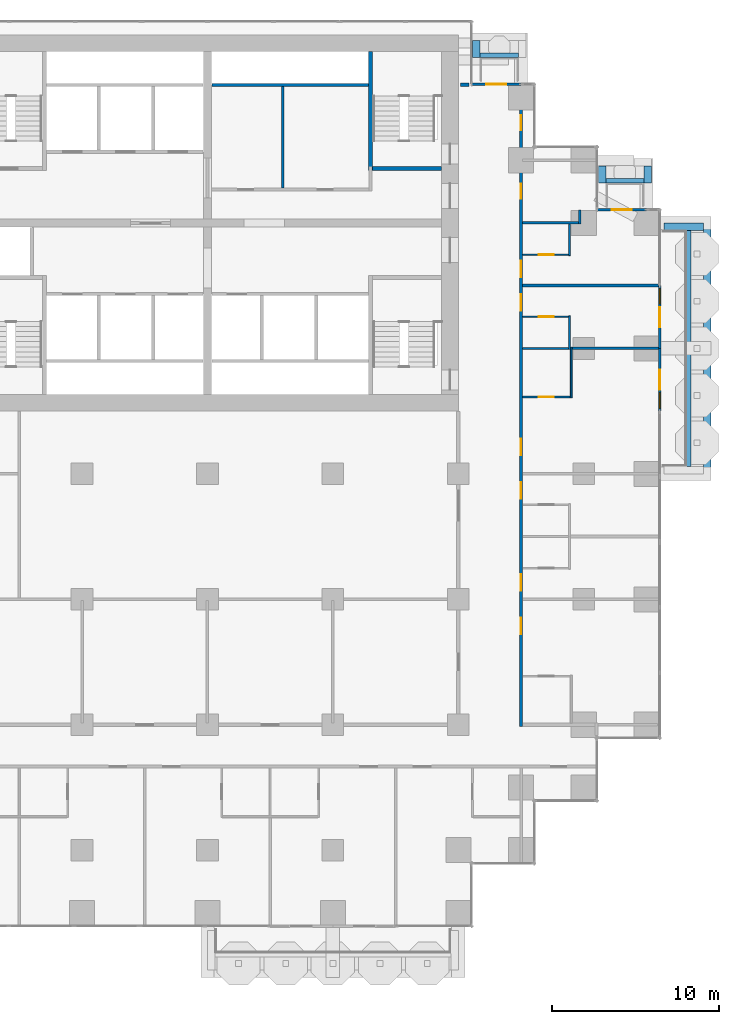
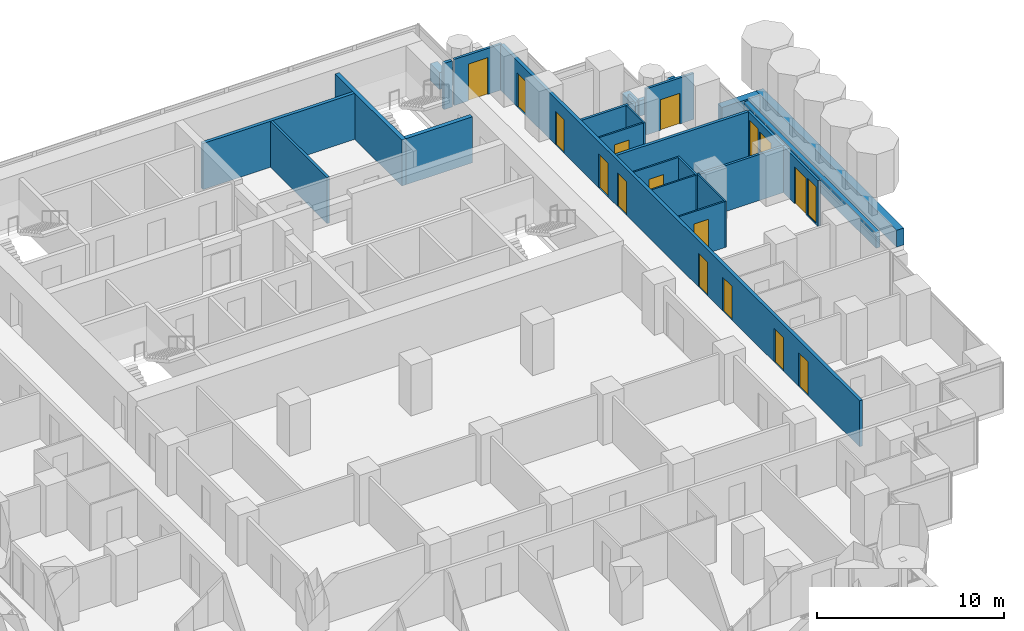
# One storey, part 15 of 19: 29 walls, 15 doors, 2 windows, 17 openings.
"""IFC4 building model written with IfcOpenShell, lengths in metres."""

from ifc_helpers import new_model, si_unit, direction, frame, frame_2d, origin, place, context, subcontext, project, spatial, rectangle, extrude, material, layer, layer_set, type_object, element, fill, save


model = new_model("IFC4")

# Units and contexts
model_context = context("Model", 3, precision=1e-05, world=origin(), true_north=direction((0.0, 1.0)))
body_context = subcontext(model_context, "Body", "Model", "MODEL_VIEW")
ifc_project = project(units=[si_unit("LENGTHUNIT", "METRE"), si_unit("AREAUNIT", "SQUARE_METRE"), si_unit("VOLUMEUNIT", "CUBIC_METRE"), si_unit("PLANEANGLEUNIT", "RADIAN"), si_unit("MASSUNIT", "GRAM", prefix="KILO")], contexts=[model_context])

# Site, building, storey
site_placement = place(None, origin())
site = spatial("IfcSite", under=ifc_project, at=site_placement, CompositionType="ELEMENT")
building_placement = place(site_placement, origin())
building = spatial("IfcBuilding", under=site, at=building_placement, Name="Pilkhan Gate Tower", CompositionType="ELEMENT")
storey_placement = place(building_placement, frame((0.0, 0.0, 79.10009765625)))
storey = spatial("IfcBuildingStorey", under=building, at=storey_placement, Name="L18", CompositionType="ELEMENT", Elevation=79.10009765625)

# Walls
ifc_material_1 = material(Name="Dense blockwork", Category="masonry")
ifc_layer_1 = layer(ifc_material_1, 0.175048828125)
ifc_layer_set_1 = layer_set([ifc_layer_1], Name="Acoustic party wall PW175")
wall_type_1 = type_object("IfcWallType", Name="Acoustic party wall PW175", PredefinedType="PARTITIONING", material=ifc_layer_set_1)
wall_1_placement = place(storey_placement, frame((93.85009765625, 78.75, 0.0), z_axis=(0.0, 0.0, 1.0), x_axis=(1.0, 0.0, 0.0)))
element("IfcWall", 1, at=wall_1_placement, inside=storey, type_object=wall_type_1, Name="Partition L18", PredefinedType="PARTITIONING", context=body_context, shape_type="SweptSolid", body=[
    extrude(rectangle(XDim=8.10986328125, YDim=0.175048828125, at=frame_2d((4.054931640625, 0.0))), origin(), (0.0, 0.0, 1.0), 3.0),
])
ifc_material_2 = material(Name="Concrete C40/50", Category="concrete")
ifc_layer_2 = layer(ifc_material_2, 0.25)
ifc_layer_set_2 = layer_set([ifc_layer_2], Name="Balcony planter BP250")
wall_type_2 = type_object("IfcWallType", Name="Balcony planter BP250", PredefinedType="USERDEFINED", material=ifc_layer_set_2)
wall_2_placement = place(storey_placement, frame((103.77490234375, 67.949951171875, 0.0), z_axis=(0.0, 0.0, 1.0), x_axis=(0.0, 1.0, 0.0)))
element("IfcWall", 2, at=wall_2_placement, inside=storey, type_object=wall_type_2, Name="Balcony planter L18 E", ObjectType="BALCONY PLANTER", PredefinedType="USERDEFINED", context=body_context, shape_type="SweptSolid", body=[
    extrude(rectangle(XDim=14.10009765625, YDim=0.25, at=frame_2d((7.050048828125, 0.0))), origin(), (0.0, 0.0, 1.0), 1.0),
])
wall_3_placement = place(storey_placement, frame((91.300048828125, 92.52490234375, 0.0), z_axis=(0.0, 0.0, 1.0), x_axis=(1.0, 0.0, 0.0)))
element("IfcWall", 3, at=wall_3_placement, inside=storey, type_object=wall_type_2, Name="Balcony planter L18 N", ObjectType="BALCONY PLANTER", PredefinedType="USERDEFINED", context=body_context, shape_type="SweptSolid", body=[
    extrude(rectangle(XDim=2.300048828125, YDim=0.25, at=frame_2d((1.14990234375, 0.0))), origin(), (0.0, 0.0, 1.0), 1.0),
])
wall_4_placement = place(storey_placement, frame((98.820068359375, 85.02490234375, 0.0), z_axis=(0.0, 0.0, 1.0), x_axis=(1.0, 0.0, 0.0)))
element("IfcWall", 4, at=wall_4_placement, inside=storey, type_object=wall_type_2, Name="Balcony planter L18 N", ObjectType="BALCONY PLANTER", PredefinedType="USERDEFINED", context=body_context, shape_type="SweptSolid", body=[
    extrude(rectangle(XDim=2.280029296875, YDim=0.25, at=frame_2d((1.14013671875, 0.0))), origin(), (0.0, 0.0, 1.0), 1.0),
])
ifc_material_3 = material(Name="Board-marked Concrete C40/50", Category="concrete")
ifc_layer_3 = layer(ifc_material_3, 0.449951171875)
ifc_layer_set_3 = layer_set([ifc_layer_3], Name="Balcony planter lip BL450")
wall_type_3 = type_object("IfcWallType", Name="Balcony planter lip BL450", PredefinedType="USERDEFINED", material=ifc_layer_set_3)
wall_5_placement = place(storey_placement, frame((104.875, 67.5, 0.0), z_axis=(0.0, 0.0, 1.0), x_axis=(0.0, 1.0, 0.0)))
element("IfcWall", 5, at=wall_5_placement, inside=storey, type_object=wall_type_3, Name="Balcony planter L18 E", ObjectType="BALCONY PLANTER", PredefinedType="USERDEFINED", context=body_context, shape_type="SweptSolid", body=[
    extrude(rectangle(XDim=15.0, YDim=0.449951171875, at=frame_2d((7.5, 0.0))), origin(), (0.0, 0.0, 1.0), 1.099853515625),
])
wall_6_placement = place(storey_placement, frame((102.300048828125, 82.27490234375, 0.0), z_axis=(0.0, 0.0, 1.0), x_axis=(1.0, 0.0, 0.0)))
element("IfcWall", 6, at=wall_6_placement, inside=storey, type_object=wall_type_3, Name="Balcony planter L18 E", ObjectType="BALCONY PLANTER", PredefinedType="USERDEFINED", context=body_context, shape_type="SweptSolid", body=[
    extrude(rectangle(XDim=2.349853515625, YDim=0.449951171875, at=frame_2d((1.1748046875, 0.0))), origin(), (0.0, 0.0, 1.0), 1.099853515625),
])
for number, where, z_axis, x_axis, name in (
    (7, (91.074951171875, 92.39990234375, 0.0), (0.0, 0.0, 1.0), (0.0, 1.0, 0.0), "Balcony planter L18 N"),
    (8, (98.594970703125, 84.89990234375, 0.0), (0.0, 0.0, 1.0), (0.0, 1.0, 0.0), "Balcony planter L18 N"),
    (9, (101.324951171875, 84.89990234375, 0.0), (0.0, 0.0, 1.0), (0.0, 1.0, 0.0), "Balcony planter L18 N"),
):
    element("IfcWall", number, at=place(storey_placement, frame(where, z_axis=z_axis, x_axis=x_axis)), inside=storey, type_object=wall_type_3, Name=name, ObjectType="BALCONY PLANTER", PredefinedType="USERDEFINED", context=body_context, shape_type="SweptSolid", body=[
        extrude(rectangle(XDim=1.0, YDim=0.449951171875, at=frame_2d((0.5, 0.0))), origin(), (0.0, 0.0, 1.0), 1.099853515625),
    ])
ifc_layer_4 = layer(ifc_material_1, 0.199951171875)
ifc_layer_set_4 = layer_set([ifc_layer_4], Name="Corridor wall FW200")
wall_type_4 = type_object("IfcWallType", Name="Corridor wall FW200", PredefinedType="PARTITIONING", material=ifc_layer_set_4)
wall_7_placement = place(storey_placement, frame((90.1201171875, 90.764892578125, 0.0), z_axis=(0.0, 0.0, 1.0), x_axis=(1.0, 0.0, 0.0)))
element("IfcWall", 10, at=wall_7_placement, inside=storey, type_object=wall_type_4, Name="Partition L18", PredefinedType="PARTITIONING", context=body_context, shape_type="SweptSolid", body=[
    extrude(rectangle(XDim=0.52490234375, YDim=0.199951171875, at=frame_2d((0.262451171875, 0.0))), origin(), (0.0, 0.0, 1.0), 3.0),
])

# Wall, openings, doors
wall_8_placement = place(storey_placement, frame((93.75, 52.39990234375, 0.0), z_axis=(0.0, 0.0, 1.0), x_axis=(0.0, 1.0, 0.0)))
wall_8 = element("IfcWall", 11, at=wall_8_placement, inside=storey, type_object=wall_type_4, Name="Partition L18", PredefinedType="PARTITIONING", context=body_context, shape_type="SweptSolid", body=[
    extrude(rectangle(XDim=38.31005859375, YDim=0.199951171875, at=frame_2d((19.155029296875, 0.0))), origin(), (0.0, 0.0, 1.0), 3.0),
])
opening_1_placement = place(wall_8_placement, frame((5.5, 0.0, 0.0)))
opening_1 = element("IfcOpeningElement", 12, at=opening_1_placement, cuts=wall_8, Name="Opening L18-26", PredefinedType="OPENING", context=body_context, shape_type="SweptSolid", body=[
    extrude(rectangle(XDim=1.0, YDim=2.199951171875, at=frame_2d((0.5, 1.10009765625))), frame((0.0, 0.10986328125, 0.0), z_axis=(0.0, -1.0, 0.0), x_axis=(1.0, 0.0, 0.0)), (0.0, 0.0, 1.0), 0.219970703125),
])
opening_2_placement = place(wall_8_placement, frame((8.10009765625, 0.0, 0.0)))
opening_2 = element("IfcOpeningElement", 13, at=opening_2_placement, cuts=wall_8, Name="Opening L18-28", PredefinedType="OPENING", context=body_context, shape_type="SweptSolid", body=[
    extrude(rectangle(XDim=1.0, YDim=2.199951171875, at=frame_2d((0.5, 1.10009765625))), frame((0.0, 0.10986328125, 0.0), z_axis=(0.0, -1.0, 0.0), x_axis=(1.0, 0.0, 0.0)), (0.0, 0.0, 1.0), 0.219970703125),
])
opening_3_placement = place(wall_8_placement, frame((13.60009765625, 0.0, 0.0)))
opening_3 = element("IfcOpeningElement", 14, at=opening_3_placement, cuts=wall_8, Name="Opening L18-30", PredefinedType="OPENING", context=body_context, shape_type="SweptSolid", body=[
    extrude(rectangle(XDim=1.0, YDim=2.199951171875, at=frame_2d((0.5, 1.10009765625))), frame((0.0, 0.10986328125, 0.0), z_axis=(0.0, -1.0, 0.0), x_axis=(1.0, 0.0, 0.0)), (0.0, 0.0, 1.0), 0.219970703125),
])
opening_4_placement = place(wall_8_placement, frame((16.199951171875, 0.0, 0.0)))
opening_4 = element("IfcOpeningElement", 15, at=opening_4_placement, cuts=wall_8, Name="Opening L18-32", PredefinedType="OPENING", context=body_context, shape_type="SweptSolid", body=[
    extrude(rectangle(XDim=1.0, YDim=2.199951171875, at=frame_2d((0.5, 1.10009765625))), frame((0.0, 0.10986328125, 0.0), z_axis=(0.0, -1.0, 0.0), x_axis=(1.0, 0.0, 0.0)), (0.0, 0.0, 1.0), 0.219970703125),
])
opening_5_placement = place(wall_8_placement, frame((24.85009765625, 0.0, 0.0)))
opening_5 = element("IfcOpeningElement", 16, at=opening_5_placement, cuts=wall_8, Name="Opening L18-34", PredefinedType="OPENING", context=body_context, shape_type="SweptSolid", body=[
    extrude(rectangle(XDim=1.0, YDim=2.199951171875, at=frame_2d((0.5, 1.10009765625))), frame((0.0, 0.10986328125, 0.0), z_axis=(0.0, -1.0, 0.0), x_axis=(1.0, 0.0, 0.0)), (0.0, 0.0, 1.0), 0.219970703125),
])
opening_6_placement = place(wall_8_placement, frame((26.85009765625, 0.0, 0.0)))
opening_6 = element("IfcOpeningElement", 17, at=opening_6_placement, cuts=wall_8, Name="Opening L18-36", PredefinedType="OPENING", context=body_context, shape_type="SweptSolid", body=[
    extrude(rectangle(XDim=1.0, YDim=2.199951171875, at=frame_2d((0.5, 1.10009765625))), frame((0.0, 0.10986328125, 0.0), z_axis=(0.0, -1.0, 0.0), x_axis=(1.0, 0.0, 0.0)), (0.0, 0.0, 1.0), 0.219970703125),
])
opening_7_placement = place(wall_8_placement, frame((31.550048828125, 0.0, 0.0)))
opening_7 = element("IfcOpeningElement", 18, at=opening_7_placement, cuts=wall_8, Name="Opening L18-45", PredefinedType="OPENING", context=body_context, shape_type="SweptSolid", body=[
    extrude(rectangle(XDim=0.89990234375, YDim=2.199951171875, at=frame_2d((0.449951171875, 1.10009765625))), frame((0.0, 0.10986328125, 0.0), z_axis=(0.0, -1.0, 0.0), x_axis=(1.0, 0.0, 0.0)), (0.0, 0.0, 1.0), 0.219970703125),
])
opening_8_placement = place(wall_8_placement, frame((35.64990234375, 0.0, 0.0)))
opening_8 = element("IfcOpeningElement", 19, at=opening_8_placement, cuts=wall_8, Name="Opening L18-46", PredefinedType="OPENING", context=body_context, shape_type="SweptSolid", body=[
    extrude(rectangle(XDim=0.89990234375, YDim=2.199951171875, at=frame_2d((0.449951171875, 1.10009765625))), frame((0.0, 0.10986328125, 0.0), z_axis=(0.0, -1.0, 0.0), x_axis=(1.0, 0.0, 0.0)), (0.0, 0.0, 1.0), 0.219970703125),
])
ifc_material_4 = material(Name="Timber flush door, 30 minute fire resisting", Category="wood")
door_type_1 = type_object("IfcDoorType", Name="Guest room door D01 1000x2200", OperationType="SINGLE_SWING_LEFT", PredefinedType="DOOR", material=ifc_material_4)
door_1_placement = place(opening_1_placement, origin())
door_1 = element("IfcDoor", 20, at=door_1_placement, inside=storey, type_object=door_type_1, Name="Guest room door", OperationType="SINGLE_SWING_LEFT", OverallHeight=2.199951171875, OverallWidth=1.0, PredefinedType="DOOR", context=body_context, shape_type="SweptSolid", body=[
    extrude(rectangle(XDim=1.0, YDim=2.199951171875, at=frame_2d((0.5, 1.10009765625))), frame((0.0, 0.02490234375, 0.0), z_axis=(0.0, -1.0, 0.0), x_axis=(1.0, 0.0, 0.0)), (0.0, 0.0, 1.0), 0.050048828125),
])
fill(opening_1, door_1)
door_2_placement = place(opening_2_placement, origin())
door_2 = element("IfcDoor", 21, at=door_2_placement, inside=storey, type_object=door_type_1, Name="Guest room door", OperationType="SINGLE_SWING_RIGHT", OverallHeight=2.199951171875, OverallWidth=1.0, PredefinedType="DOOR", context=body_context, shape_type="SweptSolid", body=[
    extrude(rectangle(XDim=1.0, YDim=2.199951171875, at=frame_2d((0.5, 1.10009765625))), frame((0.0, 0.02490234375, 0.0), z_axis=(0.0, -1.0, 0.0), x_axis=(1.0, 0.0, 0.0)), (0.0, 0.0, 1.0), 0.050048828125),
])
fill(opening_2, door_2)
door_3_placement = place(opening_3_placement, origin())
door_3 = element("IfcDoor", 22, at=door_3_placement, inside=storey, type_object=door_type_1, Name="Guest room door", OperationType="SINGLE_SWING_LEFT", OverallHeight=2.199951171875, OverallWidth=1.0, PredefinedType="DOOR", context=body_context, shape_type="SweptSolid", body=[
    extrude(rectangle(XDim=1.0, YDim=2.199951171875, at=frame_2d((0.5, 1.10009765625))), frame((0.0, 0.02490234375, 0.0), z_axis=(0.0, -1.0, 0.0), x_axis=(1.0, 0.0, 0.0)), (0.0, 0.0, 1.0), 0.050048828125),
])
fill(opening_3, door_3)
door_4_placement = place(opening_4_placement, origin())
door_4 = element("IfcDoor", 23, at=door_4_placement, inside=storey, type_object=door_type_1, Name="Guest room door", OperationType="SINGLE_SWING_LEFT", OverallHeight=2.199951171875, OverallWidth=1.0, PredefinedType="DOOR", context=body_context, shape_type="SweptSolid", body=[
    extrude(rectangle(XDim=1.0, YDim=2.199951171875, at=frame_2d((0.5, 1.10009765625))), frame((0.0, 0.02490234375, 0.0), z_axis=(0.0, -1.0, 0.0), x_axis=(1.0, 0.0, 0.0)), (0.0, 0.0, 1.0), 0.050048828125),
])
fill(opening_4, door_4)
door_5_placement = place(opening_5_placement, origin())
door_5 = element("IfcDoor", 24, at=door_5_placement, inside=storey, type_object=door_type_1, Name="Guest room door", OperationType="SINGLE_SWING_LEFT", OverallHeight=2.199951171875, OverallWidth=1.0, PredefinedType="DOOR", context=body_context, shape_type="SweptSolid", body=[
    extrude(rectangle(XDim=1.0, YDim=2.199951171875, at=frame_2d((0.5, 1.10009765625))), frame((0.0, 0.02490234375, 0.0), z_axis=(0.0, -1.0, 0.0), x_axis=(1.0, 0.0, 0.0)), (0.0, 0.0, 1.0), 0.050048828125),
])
fill(opening_5, door_5)
door_6_placement = place(opening_6_placement, origin())
door_6 = element("IfcDoor", 25, at=door_6_placement, inside=storey, type_object=door_type_1, Name="Guest room door", OperationType="SINGLE_SWING_RIGHT", OverallHeight=2.199951171875, OverallWidth=1.0, PredefinedType="DOOR", context=body_context, shape_type="SweptSolid", body=[
    extrude(rectangle(XDim=1.0, YDim=2.199951171875, at=frame_2d((0.5, 1.10009765625))), frame((0.0, 0.02490234375, 0.0), z_axis=(0.0, -1.0, 0.0), x_axis=(1.0, 0.0, 0.0)), (0.0, 0.0, 1.0), 0.050048828125),
])
fill(opening_6, door_6)
ifc_material_5 = material(Name="Timber flush door, 60 minute fire resisting, self-closing", Category="wood")
door_type_2 = type_object("IfcDoorType", Name="Store door D05 900x2200", OperationType="SINGLE_SWING_LEFT", PredefinedType="DOOR", material=ifc_material_5)
door_7_placement = place(opening_7_placement, origin())
door_7 = element("IfcDoor", 26, at=door_7_placement, inside=storey, type_object=door_type_2, Name="Store door", OperationType="SINGLE_SWING_LEFT", OverallHeight=2.199951171875, OverallWidth=0.89990234375, PredefinedType="DOOR", context=body_context, shape_type="SweptSolid", body=[
    extrude(rectangle(XDim=0.89990234375, YDim=2.199951171875, at=frame_2d((0.449951171875, 1.10009765625))), frame((0.0, 0.02490234375, 0.0), z_axis=(0.0, -1.0, 0.0), x_axis=(1.0, 0.0, 0.0)), (0.0, 0.0, 1.0), 0.050048828125),
])
fill(opening_7, door_7)
door_8_placement = place(opening_8_placement, origin())
door_8 = element("IfcDoor", 27, at=door_8_placement, inside=storey, type_object=door_type_2, Name="Store door", OperationType="SINGLE_SWING_LEFT", OverallHeight=2.199951171875, OverallWidth=0.89990234375, PredefinedType="DOOR", context=body_context, shape_type="SweptSolid", body=[
    extrude(rectangle(XDim=0.89990234375, YDim=2.199951171875, at=frame_2d((0.449951171875, 1.10009765625))), frame((0.0, 0.02490234375, 0.0), z_axis=(0.0, -1.0, 0.0), x_axis=(1.0, 0.0, 0.0)), (0.0, 0.0, 1.0), 0.050048828125),
])
fill(opening_8, door_8)

# Wall, openings, door, window
ifc_material_6 = material(Name="Pale anodised aluminium, clear laminated glazing", Category="aluminium")
ifc_layer_5 = layer(ifc_material_6, 0.14990234375)
ifc_layer_set_5 = layer_set([ifc_layer_5], Name="Facade infill wall IW150")
wall_type_5 = type_object("IfcWallType", Name="Facade infill wall IW150", PredefinedType="SOLIDWALL", material=ifc_layer_set_5)
wall_9_placement = place(storey_placement, frame((102.044921875, 71.25, 0.0), z_axis=(0.0, 0.0, 1.0), x_axis=(0.0, 1.0, 0.0)))
wall_9 = element("IfcWall", 28, at=wall_9_placement, inside=storey, type_object=wall_type_5, Name="Infill wall L18 E", PredefinedType="SOLIDWALL", context=body_context, shape_type="SweptSolid", body=[
    extrude(rectangle(XDim=3.75, YDim=0.14990234375, at=frame_2d((1.875, 0.0))), origin(), (0.0, 0.0, 1.0), 3.0),
])
opening_9_placement = place(wall_9_placement, frame((0.1875, 0.0, 0.10009765625)))
opening_9 = element("IfcOpeningElement", 29, at=opening_9_placement, cuts=wall_9, Name="Opening W1", PredefinedType="OPENING", context=body_context, shape_type="SweptSolid", body=[
    extrude(rectangle(XDim=0.89990234375, YDim=2.39990234375, at=frame_2d((0.449951171875, 1.199951171875))), frame((0.0, 0.0849609375, 0.0), z_axis=(0.0, -1.0, 0.0), x_axis=(1.0, 0.0, 0.0)), (0.0, 0.0, 1.0), 0.169921875),
])
opening_10_placement = place(wall_9_placement, frame((1.27490234375, 0.0, 0.0)))
opening_10 = element("IfcOpeningElement", 30, at=opening_10_placement, cuts=wall_9, Name="Opening D1", PredefinedType="OPENING", context=body_context, shape_type="SweptSolid", body=[
    extrude(rectangle(XDim=1.199951171875, YDim=2.39990234375, at=frame_2d((0.60009765625, 1.199951171875))), frame((0.0, 0.0849609375, 0.0), z_axis=(0.0, -1.0, 0.0), x_axis=(1.0, 0.0, 0.0)), (0.0, 0.0, 1.0), 0.169921875),
])
ifc_material_7 = material(Name="Pale anodised aluminium, clear glazing", Category="aluminium")
door_type_3 = type_object("IfcDoorType", Name="Balcony door D1 1200x2400", OperationType="SINGLE_SWING_LEFT", PredefinedType="DOOR", material=ifc_material_7)
door_9_placement = place(opening_10_placement, origin())
door_9 = element("IfcDoor", 31, at=door_9_placement, inside=storey, type_object=door_type_3, Name="Balcony door L18", OperationType="SINGLE_SWING_LEFT", OverallHeight=2.39990234375, OverallWidth=1.199951171875, PredefinedType="DOOR", context=body_context, shape_type="SweptSolid", body=[
    extrude(rectangle(XDim=1.199951171875, YDim=2.39990234375, at=frame_2d((0.60009765625, 1.199951171875))), frame((0.0, 0.02490234375, 0.0), z_axis=(0.0, -1.0, 0.0), x_axis=(1.0, 0.0, 0.0)), (0.0, 0.0, 1.0), 0.050048828125),
])
fill(opening_10, door_9)
ifc_material_8 = material(Name="Pale anodised aluminium, clear double glazing", Category="aluminium")
window_type = type_object("IfcWindowType", Name="Window W1 900x2400", PartitioningType="SINGLE_PANEL", PredefinedType="WINDOW", material=ifc_material_8)
window_1_placement = place(opening_9_placement, origin())
window_1 = element("IfcWindow", 32, at=window_1_placement, inside=storey, type_object=window_type, Name="Window L18", OverallHeight=2.39990234375, OverallWidth=0.89990234375, PartitioningType="SINGLE_PANEL", PredefinedType="WINDOW", context=body_context, shape_type="SweptSolid", body=[
    extrude(rectangle(XDim=0.89990234375, YDim=2.39990234375, at=frame_2d((0.449951171875, 1.199951171875))), frame((0.0, 0.030029296875, 0.0), z_axis=(0.0, -1.0, 0.0), x_axis=(1.0, 0.0, 0.0)), (0.0, 0.0, 1.0), 0.06005859375),
])
fill(opening_9, window_1)

wall_10_placement = place(storey_placement, frame((102.044921875, 75.0, 0.0), z_axis=(0.0, 0.0, 1.0), x_axis=(0.0, 1.0, 0.0)))
wall_10 = element("IfcWall", 33, at=wall_10_placement, inside=storey, type_object=wall_type_5, Name="Infill wall L18 E", PredefinedType="SOLIDWALL", context=body_context, shape_type="SweptSolid", body=[
    extrude(rectangle(XDim=3.75, YDim=0.14990234375, at=frame_2d((1.875, 0.0))), origin(), (0.0, 0.0, 1.0), 3.0),
])
opening_11_placement = place(wall_10_placement, frame((1.27490234375, 0.0, 0.0)))
opening_11 = element("IfcOpeningElement", 34, at=opening_11_placement, cuts=wall_10, Name="Opening D1", PredefinedType="OPENING", context=body_context, shape_type="SweptSolid", body=[
    extrude(rectangle(XDim=1.199951171875, YDim=2.39990234375, at=frame_2d((0.60009765625, 1.199951171875))), frame((0.0, 0.0849609375, 0.0), z_axis=(0.0, -1.0, 0.0), x_axis=(1.0, 0.0, 0.0)), (0.0, 0.0, 1.0), 0.169921875),
])
opening_12_placement = place(wall_10_placement, frame((2.66259765625, 0.0, 0.10009765625)))
opening_12 = element("IfcOpeningElement", 35, at=opening_12_placement, cuts=wall_10, Name="Opening W1", PredefinedType="OPENING", context=body_context, shape_type="SweptSolid", body=[
    extrude(rectangle(XDim=0.89990234375, YDim=2.39990234375, at=frame_2d((0.449951171875, 1.199951171875))), frame((0.0, 0.0849609375, 0.0), z_axis=(0.0, -1.0, 0.0), x_axis=(1.0, 0.0, 0.0)), (0.0, 0.0, 1.0), 0.169921875),
])
door_10_placement = place(opening_11_placement, origin())
door_10 = element("IfcDoor", 36, at=door_10_placement, inside=storey, type_object=door_type_3, Name="Balcony door L18", OperationType="SINGLE_SWING_LEFT", OverallHeight=2.39990234375, OverallWidth=1.199951171875, PredefinedType="DOOR", context=body_context, shape_type="SweptSolid", body=[
    extrude(rectangle(XDim=1.199951171875, YDim=2.39990234375, at=frame_2d((0.60009765625, 1.199951171875))), frame((0.0, 0.02490234375, 0.0), z_axis=(0.0, -1.0, 0.0), x_axis=(1.0, 0.0, 0.0)), (0.0, 0.0, 1.0), 0.050048828125),
])
fill(opening_11, door_10)
window_2_placement = place(opening_12_placement, origin())
window_2 = element("IfcWindow", 37, at=window_2_placement, inside=storey, type_object=window_type, Name="Window L18", OverallHeight=2.39990234375, OverallWidth=0.89990234375, PartitioningType="SINGLE_PANEL", PredefinedType="WINDOW", context=body_context, shape_type="SweptSolid", body=[
    extrude(rectangle(XDim=0.89990234375, YDim=2.39990234375, at=frame_2d((0.449951171875, 1.199951171875))), frame((0.0, 0.030029296875, 0.0), z_axis=(0.0, -1.0, 0.0), x_axis=(1.0, 0.0, 0.0)), (0.0, 0.0, 1.0), 0.06005859375),
])
fill(opening_12, window_2)

# Wall, opening, door
wall_11_placement = place(storey_placement, frame((98.294921875, 83.294921875, 0.0), z_axis=(0.0, 0.0, 1.0), x_axis=(1.0, 0.0, 0.0)))
wall_11 = element("IfcWall", 38, at=wall_11_placement, inside=storey, type_object=wall_type_5, Name="Infill wall L18 N", PredefinedType="SOLIDWALL", context=body_context, shape_type="SweptSolid", body=[
    extrude(rectangle(XDim=2.955078125, YDim=0.14990234375, at=frame_2d((1.4775390625, 0.0))), origin(), (0.0, 0.0, 1.0), 3.0),
])
opening_13_placement = place(wall_11_placement, frame((0.87744140625, 0.0, 0.0)))
opening_13 = element("IfcOpeningElement", 39, at=opening_13_placement, cuts=wall_11, Name="Opening D1L", PredefinedType="OPENING", context=body_context, shape_type="SweptSolid", body=[
    extrude(rectangle(XDim=1.199951171875, YDim=2.0, at=frame_2d((0.60009765625, 1.0))), frame((0.0, 0.0849609375, 0.0), z_axis=(0.0, -1.0, 0.0), x_axis=(1.0, 0.0, 0.0)), (0.0, 0.0, 1.0), 0.169921875),
])
door_type_4 = type_object("IfcDoorType", Name="Balcony door D1L 1200x2000", OperationType="SINGLE_SWING_LEFT", PredefinedType="DOOR", material=ifc_material_7)
door_11_placement = place(opening_13_placement, origin())
door_11 = element("IfcDoor", 40, at=door_11_placement, inside=storey, type_object=door_type_4, Name="Balcony door L18", OperationType="SINGLE_SWING_LEFT", OverallHeight=2.0, OverallWidth=1.199951171875, PredefinedType="DOOR", context=body_context, shape_type="SweptSolid", body=[
    extrude(rectangle(XDim=1.199951171875, YDim=2.0, at=frame_2d((0.60009765625, 1.0))), frame((0.0, 0.02490234375, 0.0), z_axis=(0.0, -1.0, 0.0), x_axis=(1.0, 0.0, 0.0)), (0.0, 0.0, 1.0), 0.050048828125),
])
fill(opening_13, door_11)

wall_12_placement = place(storey_placement, frame((90.794921875, 90.794921875, 0.0), z_axis=(0.0, 0.0, 1.0), x_axis=(1.0, 0.0, 0.0)))
wall_12 = element("IfcWall", 41, at=wall_12_placement, inside=storey, type_object=wall_type_5, Name="Infill wall L18 N", PredefinedType="SOLIDWALL", context=body_context, shape_type="SweptSolid", body=[
    extrude(rectangle(XDim=2.955078125, YDim=0.14990234375, at=frame_2d((1.4775390625, 0.0))), origin(), (0.0, 0.0, 1.0), 3.0),
])
opening_14_placement = place(wall_12_placement, frame((0.87744140625, 0.0, 0.0)))
opening_14 = element("IfcOpeningElement", 42, at=opening_14_placement, cuts=wall_12, Name="Opening D1", PredefinedType="OPENING", context=body_context, shape_type="SweptSolid", body=[
    extrude(rectangle(XDim=1.199951171875, YDim=2.39990234375, at=frame_2d((0.60009765625, 1.199951171875))), frame((0.0, 0.0849609375, 0.0), z_axis=(0.0, -1.0, 0.0), x_axis=(1.0, 0.0, 0.0)), (0.0, 0.0, 1.0), 0.169921875),
])
door_12_placement = place(opening_14_placement, origin())
door_12 = element("IfcDoor", 43, at=door_12_placement, inside=storey, type_object=door_type_3, Name="Balcony door L18", OperationType="SINGLE_SWING_LEFT", OverallHeight=2.39990234375, OverallWidth=1.199951171875, PredefinedType="DOOR", context=body_context, shape_type="SweptSolid", body=[
    extrude(rectangle(XDim=1.199951171875, YDim=2.39990234375, at=frame_2d((0.60009765625, 1.199951171875))), frame((0.0, 0.02490234375, 0.0), z_axis=(0.0, -1.0, 0.0), x_axis=(1.0, 0.0, 0.0)), (0.0, 0.0, 1.0), 0.050048828125),
])
fill(opening_14, door_12)

# Walls
ifc_layer_6 = layer(ifc_material_1, 0.199951171875)
ifc_layer_set_6 = layer_set([ifc_layer_6], Name="Lobby wall LW200")
wall_type_6 = type_object("IfcWallType", Name="Lobby wall LW200", PredefinedType="PARTITIONING", material=ifc_layer_set_6)
wall_13_placement = place(storey_placement, frame((75.260009765625, 90.75, 0.0), z_axis=(0.0, 0.0, 1.0), x_axis=(1.0, 0.0, 0.0)))
element("IfcWall", 44, at=wall_13_placement, inside=storey, type_object=wall_type_6, Name="Partition L18", PredefinedType="PARTITIONING", context=body_context, shape_type="SweptSolid", body=[
    extrude(rectangle(XDim=9.364990234375, YDim=0.199951171875, at=frame_2d((4.6826171875, 0.0))), origin(), (0.0, 0.0, 1.0), 3.0),
])
ifc_material_9 = material(Name="Blockwork partition, plastered both sides", Category="masonry")
ifc_layer_7 = layer(ifc_material_9, 0.14990234375)
ifc_layer_set_7 = layer_set([ifc_layer_7], Name="Partition PW150")
wall_type_7 = type_object("IfcWallType", Name="Partition PW150", PredefinedType="PARTITIONING", material=ifc_layer_set_7)
wall_14_placement = place(storey_placement, frame((96.800048828125, 75.0, 0.0), z_axis=(0.0, 0.0, 1.0), x_axis=(1.0, 0.0, 0.0)))
element("IfcWall", 45, at=wall_14_placement, inside=storey, type_object=wall_type_7, Name="Partition L18", PredefinedType="PARTITIONING", context=body_context, shape_type="SweptSolid", body=[
    extrude(rectangle(XDim=5.159912109375, YDim=0.14990234375, at=frame_2d((2.580078125, 0.0))), origin(), (0.0, 0.0, 1.0), 3.0),
])
wall_15_placement = place(storey_placement, frame((93.85009765625, 82.5, 0.0), z_axis=(0.0, 0.0, 1.0), x_axis=(1.0, 0.0, 0.0)))
element("IfcWall", 46, at=wall_15_placement, inside=storey, type_object=wall_type_7, Name="Partition L18", PredefinedType="PARTITIONING", context=body_context, shape_type="SweptSolid", body=[
    extrude(rectangle(XDim=3.33984375, YDim=0.14990234375, at=frame_2d((1.669921875, 0.0))), origin(), (0.0, 0.0, 1.0), 3.0),
])
wall_16_placement = place(storey_placement, frame((79.5, 84.60009765625, 0.0), z_axis=(0.0, 0.0, 1.0), x_axis=(0.0, 1.0, 0.0)))
element("IfcWall", 47, at=wall_16_placement, inside=storey, type_object=wall_type_7, Name="Partition L18", PredefinedType="PARTITIONING", context=body_context, shape_type="SweptSolid", body=[
    extrude(rectangle(XDim=6.0498046875, YDim=0.14990234375, at=frame_2d((3.02490234375, 0.0))), origin(), (0.0, 0.0, 1.0), 3.0),
])
wall_17_placement = place(storey_placement, frame((97.264892578125, 82.425048828125, 0.0), z_axis=(0.0, 0.0, 1.0), x_axis=(0.0, 1.0, 0.0)))
element("IfcWall", 48, at=wall_17_placement, inside=storey, type_object=wall_type_7, Name="Partition L18", PredefinedType="PARTITIONING", context=body_context, shape_type="SweptSolid", body=[
    extrude(rectangle(XDim=0.83984375, YDim=0.14990234375, at=frame_2d((0.419921875, 0.0))), origin(), (0.0, 0.0, 1.0), 3.0),
])
ifc_material_10 = material(Name="Reinforced blockwork, 120 minute fire resisting", Category="masonry")
ifc_layer_8 = layer(ifc_material_10, 0.25)
ifc_layer_set_8 = layer_set([ifc_layer_8], Name="Stair enclosure wall SE250")
wall_type_8 = type_object("IfcWallType", Name="Stair enclosure wall SE250", PredefinedType="PARTITIONING", material=ifc_layer_set_8)
wall_18_placement = place(storey_placement, frame((84.875, 85.75, 0.0), z_axis=(0.0, 0.0, 1.0), x_axis=(1.0, 0.0, 0.0)))
element("IfcWall", 49, at=wall_18_placement, inside=storey, type_object=wall_type_8, Name="Partition L18", PredefinedType="PARTITIONING", context=body_context, shape_type="SweptSolid", body=[
    extrude(rectangle(XDim=4.114990234375, YDim=0.25, at=frame_2d((2.0576171875, 0.0))), origin(), (0.0, 0.0, 1.0), 3.0),
])
wall_19_placement = place(storey_placement, frame((84.75, 85.625, 0.0), z_axis=(0.0, 0.0, 1.0), x_axis=(0.0, 1.0, 0.0)))
element("IfcWall", 50, at=wall_19_placement, inside=storey, type_object=wall_type_8, Name="Partition L18", PredefinedType="PARTITIONING", context=body_context, shape_type="SweptSolid", body=[
    extrude(rectangle(XDim=7.114990234375, YDim=0.25, at=frame_2d((3.5576171875, 0.0))), origin(), (0.0, 0.0, 1.0), 3.0),
])

# Wall, opening, door
ifc_material_11 = material(Name="Moisture resistant board, tiled")
ifc_layer_9 = layer(ifc_material_11, 0.10009765625)
ifc_layer_set_9 = layer_set([ifc_layer_9], Name="Wet wall PW100")
wall_type_9 = type_object("IfcWallType", Name="Wet wall PW100", PredefinedType="PARTITIONING", material=ifc_layer_set_9)
wall_20_placement = place(storey_placement, frame((93.85009765625, 72.10009765625, 0.0), z_axis=(0.0, 0.0, 1.0), x_axis=(1.0, 0.0, 0.0)))
wall_20 = element("IfcWall", 51, at=wall_20_placement, inside=storey, type_object=wall_type_9, Name="Partition L18", PredefinedType="PARTITIONING", context=body_context, shape_type="SweptSolid", body=[
    extrude(rectangle(XDim=2.849853515625, YDim=0.10009765625, at=frame_2d((1.4248046875, 0.0))), origin(), (0.0, 0.0, 1.0), 3.0),
])
opening_15_placement = place(wall_20_placement, frame((0.949951171875, 0.0, 0.0)))
opening_15 = element("IfcOpeningElement", 52, at=opening_15_placement, cuts=wall_20, Name="Opening L18-33", PredefinedType="OPENING", context=body_context, shape_type="SweptSolid", body=[
    extrude(rectangle(XDim=0.89990234375, YDim=2.199951171875, at=frame_2d((0.449951171875, 1.10009765625))), frame((0.0, 0.06005859375, 0.0), z_axis=(0.0, -1.0, 0.0), x_axis=(1.0, 0.0, 0.0)), (0.0, 0.0, 1.0), 0.1201171875),
])
ifc_material_12 = material(Name="Timber flush door", Category="wood")
door_type_5 = type_object("IfcDoorType", Name="Bathroom door D02 900x2200", OperationType="SINGLE_SWING_RIGHT", PredefinedType="DOOR", material=ifc_material_12)
door_13_placement = place(opening_15_placement, origin())
door_13 = element("IfcDoor", 53, at=door_13_placement, inside=storey, type_object=door_type_5, Name="Bathroom door", OperationType="SINGLE_SWING_RIGHT", OverallHeight=2.199951171875, OverallWidth=0.89990234375, PredefinedType="DOOR", context=body_context, shape_type="SweptSolid", body=[
    extrude(rectangle(XDim=0.89990234375, YDim=2.199951171875, at=frame_2d((0.449951171875, 1.10009765625))), frame((0.0, 0.02490234375, 0.0), z_axis=(0.0, -1.0, 0.0), x_axis=(1.0, 0.0, 0.0)), (0.0, 0.0, 1.0), 0.050048828125),
])
fill(opening_15, door_13)

# Wall
wall_21_placement = place(storey_placement, frame((93.85009765625, 75.0, 0.0), z_axis=(0.0, 0.0, 1.0), x_axis=(1.0, 0.0, 0.0)))
element("IfcWall", 54, at=wall_21_placement, inside=storey, type_object=wall_type_9, Name="Partition L18", PredefinedType="PARTITIONING", context=body_context, shape_type="SweptSolid", body=[
    extrude(rectangle(XDim=2.75, YDim=0.10009765625, at=frame_2d((1.375, 0.0))), origin(), (0.0, 0.0, 1.0), 3.0),
])

# Wall, opening, door
wall_22_placement = place(storey_placement, frame((93.85009765625, 76.89990234375, 0.0), z_axis=(0.0, 0.0, 1.0), x_axis=(1.0, 0.0, 0.0)))
wall_22 = element("IfcWall", 55, at=wall_22_placement, inside=storey, type_object=wall_type_9, Name="Partition L18", PredefinedType="PARTITIONING", context=body_context, shape_type="SweptSolid", body=[
    extrude(rectangle(XDim=2.75, YDim=0.10009765625, at=frame_2d((1.375, 0.0))), origin(), (0.0, 0.0, 1.0), 3.0),
])
opening_16_placement = place(wall_22_placement, frame((0.949951171875, 0.0, 0.0)))
opening_16 = element("IfcOpeningElement", 56, at=opening_16_placement, cuts=wall_22, Name="Opening L18-35", PredefinedType="OPENING", context=body_context, shape_type="SweptSolid", body=[
    extrude(rectangle(XDim=0.89990234375, YDim=2.199951171875, at=frame_2d((0.449951171875, 1.10009765625))), frame((0.0, 0.06005859375, 0.0), z_axis=(0.0, -1.0, 0.0), x_axis=(1.0, 0.0, 0.0)), (0.0, 0.0, 1.0), 0.1201171875),
])
door_14_placement = place(opening_16_placement, origin())
door_14 = element("IfcDoor", 57, at=door_14_placement, inside=storey, type_object=door_type_5, Name="Bathroom door", OperationType="SINGLE_SWING_RIGHT", OverallHeight=2.199951171875, OverallWidth=0.89990234375, PredefinedType="DOOR", context=body_context, shape_type="SweptSolid", body=[
    extrude(rectangle(XDim=0.89990234375, YDim=2.199951171875, at=frame_2d((0.449951171875, 1.10009765625))), frame((0.0, 0.02490234375, 0.0), z_axis=(0.0, -1.0, 0.0), x_axis=(1.0, 0.0, 0.0)), (0.0, 0.0, 1.0), 0.050048828125),
])
fill(opening_16, door_14)

wall_23_placement = place(storey_placement, frame((93.85009765625, 80.60009765625, 0.0), z_axis=(0.0, 0.0, 1.0), x_axis=(1.0, 0.0, 0.0)))
wall_23 = element("IfcWall", 58, at=wall_23_placement, inside=storey, type_object=wall_type_9, Name="Partition L18", PredefinedType="PARTITIONING", context=body_context, shape_type="SweptSolid", body=[
    extrude(rectangle(XDim=2.75, YDim=0.10009765625, at=frame_2d((1.375, 0.0))), origin(), (0.0, 0.0, 1.0), 3.0),
])
opening_17_placement = place(wall_23_placement, frame((0.949951171875, 0.0, 0.0)))
opening_17 = element("IfcOpeningElement", 59, at=opening_17_placement, cuts=wall_23, Name="Opening L18-37", PredefinedType="OPENING", context=body_context, shape_type="SweptSolid", body=[
    extrude(rectangle(XDim=0.89990234375, YDim=2.199951171875, at=frame_2d((0.449951171875, 1.10009765625))), frame((0.0, 0.06005859375, 0.0), z_axis=(0.0, -1.0, 0.0), x_axis=(1.0, 0.0, 0.0)), (0.0, 0.0, 1.0), 0.1201171875),
])
door_15_placement = place(opening_17_placement, origin())
door_15 = element("IfcDoor", 60, at=door_15_placement, inside=storey, type_object=door_type_5, Name="Bathroom door", OperationType="SINGLE_SWING_RIGHT", OverallHeight=2.199951171875, OverallWidth=0.89990234375, PredefinedType="DOOR", context=body_context, shape_type="SweptSolid", body=[
    extrude(rectangle(XDim=0.89990234375, YDim=2.199951171875, at=frame_2d((0.449951171875, 1.10009765625))), frame((0.0, 0.02490234375, 0.0), z_axis=(0.0, -1.0, 0.0), x_axis=(1.0, 0.0, 0.0)), (0.0, 0.0, 1.0), 0.050048828125),
])
fill(opening_17, door_15)

# Walls
wall_24_placement = place(storey_placement, frame((96.64990234375, 74.949951171875, 0.0), z_axis=(0.0, 0.0, 1.0), x_axis=(0.0, 1.0, 0.0)))
element("IfcWall", 61, at=wall_24_placement, inside=storey, type_object=wall_type_9, Name="Partition L18", PredefinedType="PARTITIONING", context=body_context, shape_type="SweptSolid", body=[
    extrude(rectangle(XDim=2.0, YDim=0.10009765625, at=frame_2d((1.0, 0.0))), origin(), (0.0, 0.0, 1.0), 3.0),
])
wall_25_placement = place(storey_placement, frame((96.64990234375, 80.550048828125, 0.0), z_axis=(0.0, 0.0, 1.0), x_axis=(0.0, 1.0, 0.0)))
element("IfcWall", 62, at=wall_25_placement, inside=storey, type_object=wall_type_9, Name="Partition L18", PredefinedType="PARTITIONING", context=body_context, shape_type="SweptSolid", body=[
    extrude(rectangle(XDim=1.875, YDim=0.10009765625, at=frame_2d((0.9375, 0.0))), origin(), (0.0, 0.0, 1.0), 3.0),
])
wall_26_placement = place(storey_placement, frame((96.75, 72.050048828125, 0.0), z_axis=(0.0, 0.0, 1.0), x_axis=(0.0, 1.0, 0.0)))
element("IfcWall", 63, at=wall_26_placement, inside=storey, type_object=wall_type_9, Name="Partition L18", PredefinedType="PARTITIONING", context=body_context, shape_type="SweptSolid", body=[
    extrude(rectangle(XDim=3.02490234375, YDim=0.10009765625, at=frame_2d((1.512451171875, 0.0))), origin(), (0.0, 0.0, 1.0), 3.0),
])

save(model, "model.ifc")
